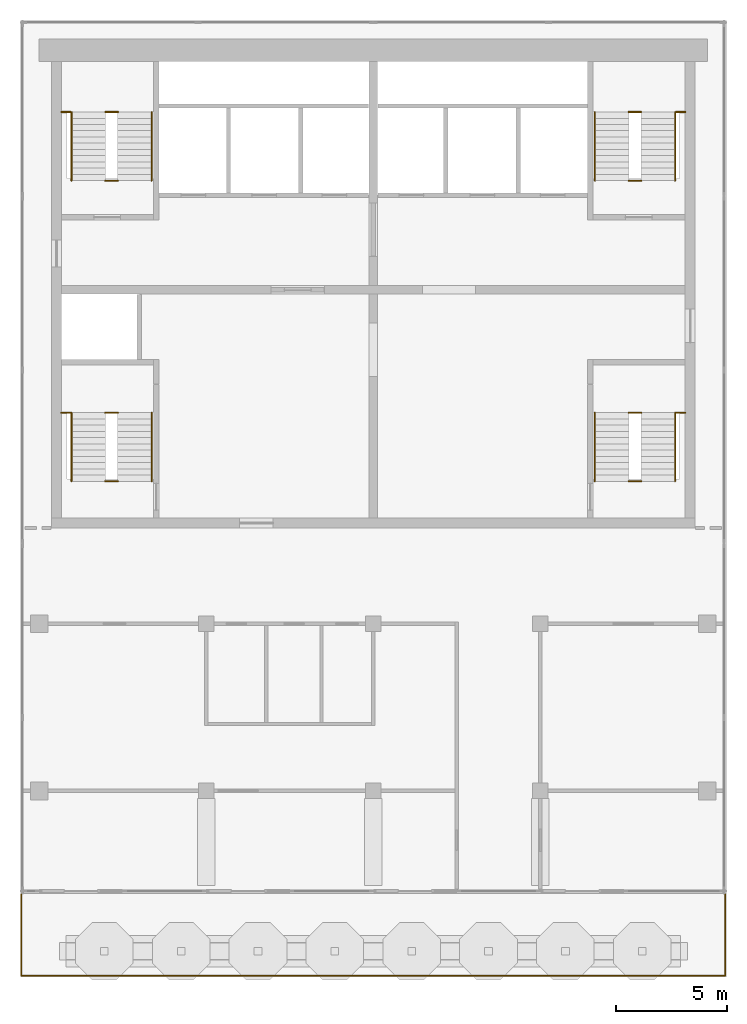
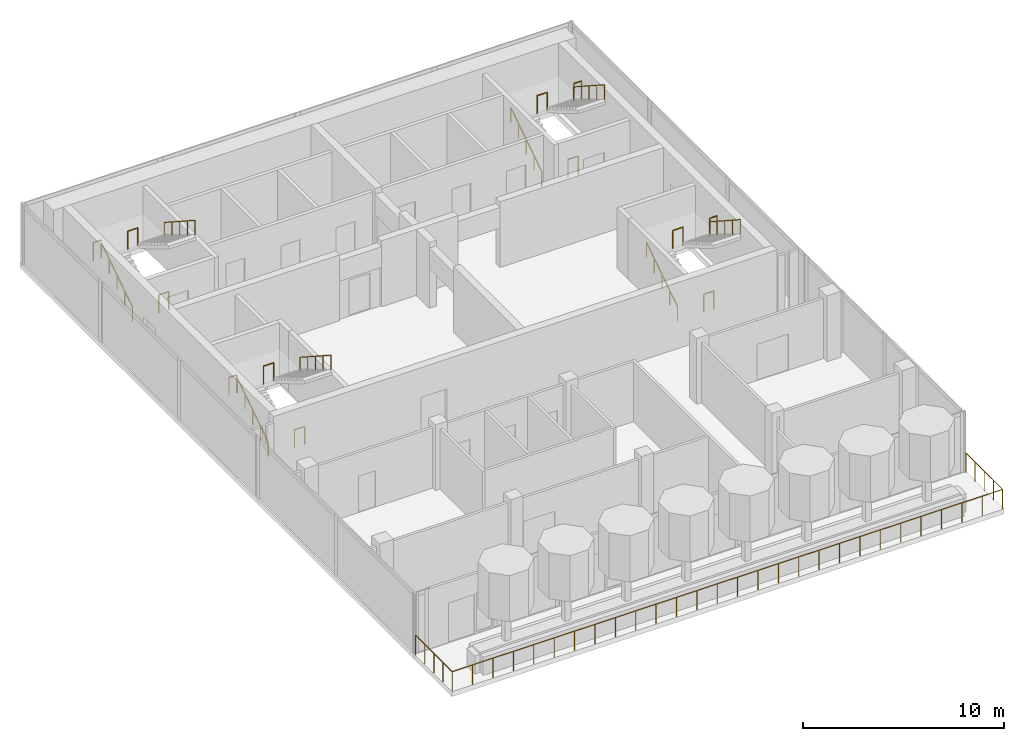
# One storey, part 5 of 6: 21 railings.
"""IFC4 building model written with IfcOpenShell, lengths in metres."""

from ifc_helpers import new_model, si_unit, direction, frame, origin, origin_2d, place, context, subcontext, project, spatial, circle, extrude, material, type_object, element, save


model = new_model("IFC4")

# Units and contexts
model_context = context("Model", 3, precision=1e-05, world=origin(), true_north=direction((0.0, 1.0)))
body_context = subcontext(model_context, "Body", "Model", "MODEL_VIEW")
ifc_project = project(units=[si_unit("LENGTHUNIT", "METRE"), si_unit("AREAUNIT", "SQUARE_METRE"), si_unit("VOLUMEUNIT", "CUBIC_METRE"), si_unit("PLANEANGLEUNIT", "RADIAN"), si_unit("MASSUNIT", "GRAM", prefix="KILO")], contexts=[model_context])

# Site, building, storey
site_placement = place(None, origin())
site = spatial("IfcSite", under=ifc_project, at=site_placement, CompositionType="ELEMENT")
building_placement = place(site_placement, origin())
building = spatial("IfcBuilding", under=site, at=building_placement, Name="Pilkhan Gate Tower", CompositionType="ELEMENT")
storey_placement = place(building_placement, frame((0.0, 0.0, 283.699951171875)))
storey = spatial("IfcBuildingStorey", under=building, at=storey_placement, Name="L74", CompositionType="ELEMENT", Elevation=283.699951171875)

# Railings
ifc_material_1 = material(Name="Black powder-coated steel tube", Category="steel")
railing_type_1 = type_object("IfcRailingType", Name="Stair handrail HR1", PredefinedType="HANDRAIL", material=ifc_material_1)
railing_1_placement = place(storey_placement, frame((84.949951171875, 73.89990234375, 0.0)))
element("IfcRailing", 1, at=railing_1_placement, inside=storey, type_object=railing_type_1, Name="Stair ST1 handrail L74", PredefinedType="HANDRAIL", context=body_context, shape_type="SweptSolid", body=[
    extrude(circle(Radius=0.02392578125, at=origin_2d()), frame((0.0, 0.0, 0.8759765625), z_axis=(0.0, 0.838698691485, 0.544595726113), x_axis=(-1.0, 0.0, 0.0)), (0.0, 0.0, 1.0), 3.67236328125),
    extrude(circle(Radius=0.02099609375, at=origin_2d()), origin(), (0.0, 0.0, 1.0), 0.851806640625),
    extrude(circle(Radius=0.02099609375, at=origin_2d()), frame((0.0, 0.77001953125, 0.5)), (0.0, 0.0, 1.0), 0.851806640625),
    extrude(circle(Radius=0.02099609375, at=origin_2d()), frame((0.0, 1.5400390625, 1.0)), (0.0, 0.0, 1.0), 0.851806640625),
    extrude(circle(Radius=0.02099609375, at=origin_2d()), frame((0.0, 2.31005859375, 1.5)), (0.0, 0.0, 1.0), 0.851806640625),
    extrude(circle(Radius=0.02099609375, at=origin_2d()), frame((0.0, 3.080078125, 2.0)), (0.0, 0.0, 1.0), 0.851806640625),
])
railing_2_placement = place(storey_placement, frame((88.550048828125, 76.97998046875, 2.0)))
element("IfcRailing", 2, at=railing_2_placement, inside=storey, type_object=railing_type_1, Name="Stair ST1 handrail L74", PredefinedType="HANDRAIL", context=body_context, shape_type="SweptSolid", body=[
    extrude(circle(Radius=0.02392578125, at=origin_2d()), frame((0.0, 0.0, 0.8759765625), z_axis=(0.0, -0.838698691485, 0.544595726113), x_axis=(1.0, 0.0, 0.0)), (0.0, 0.0, 1.0), 3.67236328125),
    extrude(circle(Radius=0.02099609375, at=origin_2d()), origin(), (0.0, 0.0, 1.0), 0.851806640625),
    extrude(circle(Radius=0.02099609375, at=origin_2d()), frame((0.0, -0.77001953125, 0.5)), (0.0, 0.0, 1.0), 0.851806640625),
    extrude(circle(Radius=0.02099609375, at=origin_2d()), frame((0.0, -1.5400390625, 1.0)), (0.0, 0.0, 1.0), 0.851806640625),
    extrude(circle(Radius=0.02099609375, at=origin_2d()), frame((0.0, -2.31005859375, 1.5)), (0.0, 0.0, 1.0), 0.851806640625),
    extrude(circle(Radius=0.02099609375, at=origin_2d()), frame((0.0, -3.080078125, 2.0)), (0.0, 0.0, 1.0), 0.851806640625),
])
railing_3_placement = place(storey_placement, frame((61.449951171875, 73.89990234375, 0.0)))
element("IfcRailing", 3, at=railing_3_placement, inside=storey, type_object=railing_type_1, Name="Stair ST2 handrail L74", PredefinedType="HANDRAIL", context=body_context, shape_type="SweptSolid", body=[
    extrude(circle(Radius=0.02392578125, at=origin_2d()), frame((0.0, 0.0, 0.8759765625), z_axis=(0.0, 0.838698691485, 0.544595726113), x_axis=(-1.0, 0.0, 0.0)), (0.0, 0.0, 1.0), 3.67236328125),
    extrude(circle(Radius=0.02099609375, at=origin_2d()), origin(), (0.0, 0.0, 1.0), 0.851806640625),
    extrude(circle(Radius=0.02099609375, at=origin_2d()), frame((0.0, 0.77001953125, 0.5)), (0.0, 0.0, 1.0), 0.851806640625),
    extrude(circle(Radius=0.02099609375, at=origin_2d()), frame((0.0, 1.5400390625, 1.0)), (0.0, 0.0, 1.0), 0.851806640625),
    extrude(circle(Radius=0.02099609375, at=origin_2d()), frame((0.0, 2.31005859375, 1.5)), (0.0, 0.0, 1.0), 0.851806640625),
    extrude(circle(Radius=0.02099609375, at=origin_2d()), frame((0.0, 3.080078125, 2.0)), (0.0, 0.0, 1.0), 0.851806640625),
])
railing_4_placement = place(storey_placement, frame((65.050048828125, 76.97998046875, 2.0)))
element("IfcRailing", 4, at=railing_4_placement, inside=storey, type_object=railing_type_1, Name="Stair ST2 handrail L74", PredefinedType="HANDRAIL", context=body_context, shape_type="SweptSolid", body=[
    extrude(circle(Radius=0.02392578125, at=origin_2d()), frame((0.0, 0.0, 0.8759765625), z_axis=(0.0, -0.838698691485, 0.544595726113), x_axis=(1.0, 0.0, 0.0)), (0.0, 0.0, 1.0), 3.67236328125),
    extrude(circle(Radius=0.02099609375, at=origin_2d()), origin(), (0.0, 0.0, 1.0), 0.851806640625),
    extrude(circle(Radius=0.02099609375, at=origin_2d()), frame((0.0, -0.77001953125, 0.5)), (0.0, 0.0, 1.0), 0.851806640625),
    extrude(circle(Radius=0.02099609375, at=origin_2d()), frame((0.0, -1.5400390625, 1.0)), (0.0, 0.0, 1.0), 0.851806640625),
    extrude(circle(Radius=0.02099609375, at=origin_2d()), frame((0.0, -2.31005859375, 1.5)), (0.0, 0.0, 1.0), 0.851806640625),
    extrude(circle(Radius=0.02099609375, at=origin_2d()), frame((0.0, -3.080078125, 2.0)), (0.0, 0.0, 1.0), 0.851806640625),
])
railing_5_placement = place(storey_placement, frame((61.449951171875, 87.39990234375, 0.0)))
element("IfcRailing", 5, at=railing_5_placement, inside=storey, type_object=railing_type_1, Name="Stair ST3 handrail L74", PredefinedType="HANDRAIL", context=body_context, shape_type="SweptSolid", body=[
    extrude(circle(Radius=0.02392578125, at=origin_2d()), frame((0.0, 0.0, 0.8759765625), z_axis=(0.0, 0.838698691485, 0.544595726113), x_axis=(-1.0, 0.0, 0.0)), (0.0, 0.0, 1.0), 3.67236328125),
    extrude(circle(Radius=0.02099609375, at=origin_2d()), origin(), (0.0, 0.0, 1.0), 0.851806640625),
    extrude(circle(Radius=0.02099609375, at=origin_2d()), frame((0.0, 0.77001953125, 0.5)), (0.0, 0.0, 1.0), 0.851806640625),
    extrude(circle(Radius=0.02099609375, at=origin_2d()), frame((0.0, 1.5400390625, 1.0)), (0.0, 0.0, 1.0), 0.851806640625),
    extrude(circle(Radius=0.02099609375, at=origin_2d()), frame((0.0, 2.31005859375, 1.5)), (0.0, 0.0, 1.0), 0.851806640625),
    extrude(circle(Radius=0.02099609375, at=origin_2d()), frame((0.0, 3.080078125, 2.0)), (0.0, 0.0, 1.0), 0.851806640625),
])
railing_6_placement = place(storey_placement, frame((65.050048828125, 90.47998046875, 2.0)))
element("IfcRailing", 6, at=railing_6_placement, inside=storey, type_object=railing_type_1, Name="Stair ST3 handrail L74", PredefinedType="HANDRAIL", context=body_context, shape_type="SweptSolid", body=[
    extrude(circle(Radius=0.02392578125, at=origin_2d()), frame((0.0, 0.0, 0.8759765625), z_axis=(0.0, -0.838698691485, 0.544595726113), x_axis=(1.0, 0.0, 0.0)), (0.0, 0.0, 1.0), 3.67236328125),
    extrude(circle(Radius=0.02099609375, at=origin_2d()), origin(), (0.0, 0.0, 1.0), 0.851806640625),
    extrude(circle(Radius=0.02099609375, at=origin_2d()), frame((0.0, -0.77001953125, 0.5)), (0.0, 0.0, 1.0), 0.851806640625),
    extrude(circle(Radius=0.02099609375, at=origin_2d()), frame((0.0, -1.5400390625, 1.0)), (0.0, 0.0, 1.0), 0.851806640625),
    extrude(circle(Radius=0.02099609375, at=origin_2d()), frame((0.0, -2.31005859375, 1.5)), (0.0, 0.0, 1.0), 0.851806640625),
    extrude(circle(Radius=0.02099609375, at=origin_2d()), frame((0.0, -3.080078125, 2.0)), (0.0, 0.0, 1.0), 0.851806640625),
])
railing_7_placement = place(storey_placement, frame((84.949951171875, 87.39990234375, 0.0)))
element("IfcRailing", 7, at=railing_7_placement, inside=storey, type_object=railing_type_1, Name="Stair ST4 handrail L74", PredefinedType="HANDRAIL", context=body_context, shape_type="SweptSolid", body=[
    extrude(circle(Radius=0.02392578125, at=origin_2d()), frame((0.0, 0.0, 0.8759765625), z_axis=(0.0, 0.838698691485, 0.544595726113), x_axis=(-1.0, 0.0, 0.0)), (0.0, 0.0, 1.0), 3.67236328125),
    extrude(circle(Radius=0.02099609375, at=origin_2d()), origin(), (0.0, 0.0, 1.0), 0.851806640625),
    extrude(circle(Radius=0.02099609375, at=origin_2d()), frame((0.0, 0.77001953125, 0.5)), (0.0, 0.0, 1.0), 0.851806640625),
    extrude(circle(Radius=0.02099609375, at=origin_2d()), frame((0.0, 1.5400390625, 1.0)), (0.0, 0.0, 1.0), 0.851806640625),
    extrude(circle(Radius=0.02099609375, at=origin_2d()), frame((0.0, 2.31005859375, 1.5)), (0.0, 0.0, 1.0), 0.851806640625),
    extrude(circle(Radius=0.02099609375, at=origin_2d()), frame((0.0, 3.080078125, 2.0)), (0.0, 0.0, 1.0), 0.851806640625),
])
railing_8_placement = place(storey_placement, frame((88.550048828125, 90.47998046875, 2.0)))
element("IfcRailing", 8, at=railing_8_placement, inside=storey, type_object=railing_type_1, Name="Stair ST4 handrail L74", PredefinedType="HANDRAIL", context=body_context, shape_type="SweptSolid", body=[
    extrude(circle(Radius=0.02392578125, at=origin_2d()), frame((0.0, 0.0, 0.8759765625), z_axis=(0.0, -0.838698691485, 0.544595726113), x_axis=(1.0, 0.0, 0.0)), (0.0, 0.0, 1.0), 3.67236328125),
    extrude(circle(Radius=0.02099609375, at=origin_2d()), origin(), (0.0, 0.0, 1.0), 0.851806640625),
    extrude(circle(Radius=0.02099609375, at=origin_2d()), frame((0.0, -0.77001953125, 0.5)), (0.0, 0.0, 1.0), 0.851806640625),
    extrude(circle(Radius=0.02099609375, at=origin_2d()), frame((0.0, -1.5400390625, 1.0)), (0.0, 0.0, 1.0), 0.851806640625),
    extrude(circle(Radius=0.02099609375, at=origin_2d()), frame((0.0, -2.31005859375, 1.5)), (0.0, 0.0, 1.0), 0.851806640625),
    extrude(circle(Radius=0.02099609375, at=origin_2d()), frame((0.0, -3.080078125, 2.0)), (0.0, 0.0, 1.0), 0.851806640625),
])
ifc_material_2 = material(Name="Black powder-coated steel balusters", Category="steel")
railing_type_2 = type_object("IfcRailingType", Name="Stair well guard G3", PredefinedType="GUARDRAIL", material=ifc_material_2)
railing_9_placement = place(storey_placement, frame((88.580078125, 76.97998046875, 2.0)))
element("IfcRailing", 9, at=railing_9_placement, inside=storey, type_object=railing_type_2, Name="Stair ST1 well guard L74", PredefinedType="GUARDRAIL", context=body_context, shape_type="SweptSolid", body=[
    extrude(circle(Radius=0.02392578125, at=origin_2d()), frame((0.0, 0.0, 1.076171875), z_axis=(1.0, 0.0, 0.0), x_axis=(0.0, 1.0, 0.0)), (0.0, 0.0, 1.0), 0.43994140625),
    extrude(circle(Radius=0.02099609375, at=origin_2d()), origin(), (0.0, 0.0, 1.0), 1.052001953125),
    extrude(circle(Radius=0.02099609375, at=origin_2d()), frame((0.43994140625, 0.0, 0.0)), (0.0, 0.0, 1.0), 1.052001953125),
])
for number, where, name in (
    (10, (86.4599609375, 73.89990234375, 0.0), "Stair ST1 well guard L74"),
    (11, (86.4599609375, 76.97998046875, 2.0), "Stair ST1 well guard L74"),
):
    element("IfcRailing", number, at=place(storey_placement, frame(where)), inside=storey, type_object=railing_type_2, Name=name, PredefinedType="GUARDRAIL", context=body_context, shape_type="SweptSolid", body=[
        extrude(circle(Radius=0.02392578125, at=origin_2d()), frame((0.0, 0.0, 1.076171875), z_axis=(1.0, 0.0, 0.0), x_axis=(0.0, 1.0, 0.0)), (0.0, 0.0, 1.0), 0.580078125),
        extrude(circle(Radius=0.02099609375, at=origin_2d()), origin(), (0.0, 0.0, 1.0), 1.052001953125),
        extrude(circle(Radius=0.02099609375, at=origin_2d()), frame((0.580078125, 0.0, 0.0)), (0.0, 0.0, 1.0), 1.052001953125),
    ])
railing_10_placement = place(storey_placement, frame((60.97998046875, 76.97998046875, 2.0)))
element("IfcRailing", 12, at=railing_10_placement, inside=storey, type_object=railing_type_2, Name="Stair ST2 well guard L74", PredefinedType="GUARDRAIL", context=body_context, shape_type="SweptSolid", body=[
    extrude(circle(Radius=0.02392578125, at=origin_2d()), frame((0.0, 0.0, 1.076171875), z_axis=(1.0, 0.0, 0.0), x_axis=(0.0, 1.0, 0.0)), (0.0, 0.0, 1.0), 0.43994140625),
    extrude(circle(Radius=0.02099609375, at=origin_2d()), origin(), (0.0, 0.0, 1.0), 1.052001953125),
    extrude(circle(Radius=0.02099609375, at=origin_2d()), frame((0.43994140625, 0.0, 0.0)), (0.0, 0.0, 1.0), 1.052001953125),
])
for number, where, name in (
    (13, (62.9599609375, 73.89990234375, 0.0), "Stair ST2 well guard L74"),
    (14, (62.9599609375, 76.97998046875, 2.0), "Stair ST2 well guard L74"),
):
    element("IfcRailing", number, at=place(storey_placement, frame(where)), inside=storey, type_object=railing_type_2, Name=name, PredefinedType="GUARDRAIL", context=body_context, shape_type="SweptSolid", body=[
        extrude(circle(Radius=0.02392578125, at=origin_2d()), frame((0.0, 0.0, 1.076171875), z_axis=(1.0, 0.0, 0.0), x_axis=(0.0, 1.0, 0.0)), (0.0, 0.0, 1.0), 0.580078125),
        extrude(circle(Radius=0.02099609375, at=origin_2d()), origin(), (0.0, 0.0, 1.0), 1.052001953125),
        extrude(circle(Radius=0.02099609375, at=origin_2d()), frame((0.580078125, 0.0, 0.0)), (0.0, 0.0, 1.0), 1.052001953125),
    ])
railing_11_placement = place(storey_placement, frame((60.97998046875, 90.47998046875, 2.0)))
element("IfcRailing", 15, at=railing_11_placement, inside=storey, type_object=railing_type_2, Name="Stair ST3 well guard L74", PredefinedType="GUARDRAIL", context=body_context, shape_type="SweptSolid", body=[
    extrude(circle(Radius=0.02392578125, at=origin_2d()), frame((0.0, 0.0, 1.076171875), z_axis=(1.0, 0.0, 0.0), x_axis=(0.0, 1.0, 0.0)), (0.0, 0.0, 1.0), 0.43994140625),
    extrude(circle(Radius=0.02099609375, at=origin_2d()), origin(), (0.0, 0.0, 1.0), 1.052001953125),
    extrude(circle(Radius=0.02099609375, at=origin_2d()), frame((0.43994140625, 0.0, 0.0)), (0.0, 0.0, 1.0), 1.052001953125),
])
for number, where, name in (
    (16, (62.9599609375, 87.39990234375, 0.0), "Stair ST3 well guard L74"),
    (17, (62.9599609375, 90.47998046875, 2.0), "Stair ST3 well guard L74"),
):
    element("IfcRailing", number, at=place(storey_placement, frame(where)), inside=storey, type_object=railing_type_2, Name=name, PredefinedType="GUARDRAIL", context=body_context, shape_type="SweptSolid", body=[
        extrude(circle(Radius=0.02392578125, at=origin_2d()), frame((0.0, 0.0, 1.076171875), z_axis=(1.0, 0.0, 0.0), x_axis=(0.0, 1.0, 0.0)), (0.0, 0.0, 1.0), 0.580078125),
        extrude(circle(Radius=0.02099609375, at=origin_2d()), origin(), (0.0, 0.0, 1.0), 1.052001953125),
        extrude(circle(Radius=0.02099609375, at=origin_2d()), frame((0.580078125, 0.0, 0.0)), (0.0, 0.0, 1.0), 1.052001953125),
    ])
railing_12_placement = place(storey_placement, frame((88.580078125, 90.47998046875, 2.0)))
element("IfcRailing", 18, at=railing_12_placement, inside=storey, type_object=railing_type_2, Name="Stair ST4 well guard L74", PredefinedType="GUARDRAIL", context=body_context, shape_type="SweptSolid", body=[
    extrude(circle(Radius=0.02392578125, at=origin_2d()), frame((0.0, 0.0, 1.076171875), z_axis=(1.0, 0.0, 0.0), x_axis=(0.0, 1.0, 0.0)), (0.0, 0.0, 1.0), 0.43994140625),
    extrude(circle(Radius=0.02099609375, at=origin_2d()), origin(), (0.0, 0.0, 1.0), 1.052001953125),
    extrude(circle(Radius=0.02099609375, at=origin_2d()), frame((0.43994140625, 0.0, 0.0)), (0.0, 0.0, 1.0), 1.052001953125),
])
for number, where, name in (
    (19, (86.4599609375, 87.39990234375, 0.0), "Stair ST4 well guard L74"),
    (20, (86.4599609375, 90.47998046875, 2.0), "Stair ST4 well guard L74"),
):
    element("IfcRailing", number, at=place(storey_placement, frame(where)), inside=storey, type_object=railing_type_2, Name=name, PredefinedType="GUARDRAIL", context=body_context, shape_type="SweptSolid", body=[
        extrude(circle(Radius=0.02392578125, at=origin_2d()), frame((0.0, 0.0, 1.076171875), z_axis=(1.0, 0.0, 0.0), x_axis=(0.0, 1.0, 0.0)), (0.0, 0.0, 1.0), 0.580078125),
        extrude(circle(Radius=0.02099609375, at=origin_2d()), origin(), (0.0, 0.0, 1.0), 1.052001953125),
        extrude(circle(Radius=0.02099609375, at=origin_2d()), frame((0.580078125, 0.0, 0.0)), (0.0, 0.0, 1.0), 1.052001953125),
    ])
ifc_material_3 = material(Name="Pale anodised aluminium posts, laminated glass infill", Category="aluminium")
railing_type_3 = type_object("IfcRailingType", Name="Terrace guard G2", PredefinedType="BALUSTRADE", material=ifc_material_3)
railing_13_placement = place(storey_placement, frame((90.800048828125, 55.35009765625, 0.0)))
element("IfcRailing", 21, at=railing_13_placement, inside=storey, type_object=railing_type_3, Name="Terrace guard L74", PredefinedType="BALUSTRADE", context=body_context, shape_type="SweptSolid", body=[
    extrude(circle(Radius=0.02392578125, at=origin_2d()), frame((0.0, 0.0, 1.17578125), z_axis=(0.0, -1.0, 0.0), x_axis=(1.0, 0.0, 0.0)), (0.0, 0.0, 1.0), 3.650146484375),
    extrude(circle(Radius=0.02392578125, at=origin_2d()), frame((0.0, -3.650146484375, 1.17578125), z_axis=(-1.0, 0.0, 0.0), x_axis=(0.0, -1.0, 0.0)), (0.0, 0.0, 1.0), 31.60009765625),
    extrude(circle(Radius=0.02392578125, at=origin_2d()), frame((-31.60009765625, -3.650146484375, 1.17578125), z_axis=(0.0, 1.0, 0.0), x_axis=(-1.0, 0.0, 0.0)), (0.0, 0.0, 1.0), 3.650146484375),
    extrude(circle(Radius=0.02099609375, at=origin_2d()), origin(), (0.0, 0.0, 1.0), 1.15185546875),
    extrude(circle(Radius=0.02099609375, at=origin_2d()), frame((0.0, -0.91259765625, 0.0)), (0.0, 0.0, 1.0), 1.15185546875),
    extrude(circle(Radius=0.02099609375, at=origin_2d()), frame((0.0, -1.8251953125, 0.0)), (0.0, 0.0, 1.0), 1.15185546875),
    extrude(circle(Radius=0.02099609375, at=origin_2d()), frame((0.0, -2.737548828125, 0.0)), (0.0, 0.0, 1.0), 1.15185546875),
    extrude(circle(Radius=0.02099609375, at=origin_2d()), frame((0.0, -3.650146484375, 0.0)), (0.0, 0.0, 1.0), 1.15185546875),
    extrude(circle(Radius=0.02099609375, at=origin_2d()), frame((-1.17041015625, -3.650146484375, 0.0)), (0.0, 0.0, 1.0), 1.15185546875),
    extrude(circle(Radius=0.02099609375, at=origin_2d()), frame((-2.3408203125, -3.650146484375, 0.0)), (0.0, 0.0, 1.0), 1.15185546875),
    extrude(circle(Radius=0.02099609375, at=origin_2d()), frame((-3.51123046875, -3.650146484375, 0.0)), (0.0, 0.0, 1.0), 1.15185546875),
    extrude(circle(Radius=0.02099609375, at=origin_2d()), frame((-4.681396484375, -3.650146484375, 0.0)), (0.0, 0.0, 1.0), 1.15185546875),
    extrude(circle(Radius=0.02099609375, at=origin_2d()), frame((-5.851806640625, -3.650146484375, 0.0)), (0.0, 0.0, 1.0), 1.15185546875),
    extrude(circle(Radius=0.02099609375, at=origin_2d()), frame((-7.022216796875, -3.650146484375, 0.0)), (0.0, 0.0, 1.0), 1.15185546875),
    extrude(circle(Radius=0.02099609375, at=origin_2d()), frame((-8.192626953125, -3.650146484375, 0.0)), (0.0, 0.0, 1.0), 1.15185546875),
    extrude(circle(Radius=0.02099609375, at=origin_2d()), frame((-9.363037109375, -3.650146484375, 0.0)), (0.0, 0.0, 1.0), 1.15185546875),
    extrude(circle(Radius=0.02099609375, at=origin_2d()), frame((-10.533447265625, -3.650146484375, 0.0)), (0.0, 0.0, 1.0), 1.15185546875),
    extrude(circle(Radius=0.02099609375, at=origin_2d()), frame((-11.703857421875, -3.650146484375, 0.0)), (0.0, 0.0, 1.0), 1.15185546875),
    extrude(circle(Radius=0.02099609375, at=origin_2d()), frame((-12.8740234375, -3.650146484375, 0.0)), (0.0, 0.0, 1.0), 1.15185546875),
    extrude(circle(Radius=0.02099609375, at=origin_2d()), frame((-14.04443359375, -3.650146484375, 0.0)), (0.0, 0.0, 1.0), 1.15185546875),
    extrude(circle(Radius=0.02099609375, at=origin_2d()), frame((-15.21484375, -3.650146484375, 0.0)), (0.0, 0.0, 1.0), 1.15185546875),
    extrude(circle(Radius=0.02099609375, at=origin_2d()), frame((-16.38525390625, -3.650146484375, 0.0)), (0.0, 0.0, 1.0), 1.15185546875),
    extrude(circle(Radius=0.02099609375, at=origin_2d()), frame((-17.5556640625, -3.650146484375, 0.0)), (0.0, 0.0, 1.0), 1.15185546875),
    extrude(circle(Radius=0.02099609375, at=origin_2d()), frame((-18.72607421875, -3.650146484375, 0.0)), (0.0, 0.0, 1.0), 1.15185546875),
    extrude(circle(Radius=0.02099609375, at=origin_2d()), frame((-19.896240234375, -3.650146484375, 0.0)), (0.0, 0.0, 1.0), 1.15185546875),
    extrude(circle(Radius=0.02099609375, at=origin_2d()), frame((-21.066650390625, -3.650146484375, 0.0)), (0.0, 0.0, 1.0), 1.15185546875),
    extrude(circle(Radius=0.02099609375, at=origin_2d()), frame((-22.237060546875, -3.650146484375, 0.0)), (0.0, 0.0, 1.0), 1.15185546875),
    extrude(circle(Radius=0.02099609375, at=origin_2d()), frame((-23.407470703125, -3.650146484375, 0.0)), (0.0, 0.0, 1.0), 1.15185546875),
    extrude(circle(Radius=0.02099609375, at=origin_2d()), frame((-24.577880859375, -3.650146484375, 0.0)), (0.0, 0.0, 1.0), 1.15185546875),
    extrude(circle(Radius=0.02099609375, at=origin_2d()), frame((-25.748291015625, -3.650146484375, 0.0)), (0.0, 0.0, 1.0), 1.15185546875),
    extrude(circle(Radius=0.02099609375, at=origin_2d()), frame((-26.918701171875, -3.650146484375, 0.0)), (0.0, 0.0, 1.0), 1.15185546875),
    extrude(circle(Radius=0.02099609375, at=origin_2d()), frame((-28.0888671875, -3.650146484375, 0.0)), (0.0, 0.0, 1.0), 1.15185546875),
    extrude(circle(Radius=0.02099609375, at=origin_2d()), frame((-29.25927734375, -3.650146484375, 0.0)), (0.0, 0.0, 1.0), 1.15185546875),
    extrude(circle(Radius=0.02099609375, at=origin_2d()), frame((-30.4296875, -3.650146484375, 0.0)), (0.0, 0.0, 1.0), 1.15185546875),
    extrude(circle(Radius=0.02099609375, at=origin_2d()), frame((-31.60009765625, -3.650146484375, 0.0)), (0.0, 0.0, 1.0), 1.15185546875),
    extrude(circle(Radius=0.02099609375, at=origin_2d()), frame((-31.60009765625, -2.737548828125, 0.0)), (0.0, 0.0, 1.0), 1.15185546875),
    extrude(circle(Radius=0.02099609375, at=origin_2d()), frame((-31.60009765625, -1.8251953125, 0.0)), (0.0, 0.0, 1.0), 1.15185546875),
    extrude(circle(Radius=0.02099609375, at=origin_2d()), frame((-31.60009765625, -0.91259765625, 0.0)), (0.0, 0.0, 1.0), 1.15185546875),
    extrude(circle(Radius=0.02099609375, at=origin_2d()), frame((-31.60009765625, 0.0, 0.0)), (0.0, 0.0, 1.0), 1.15185546875),
])

save(model, "model.ifc")
